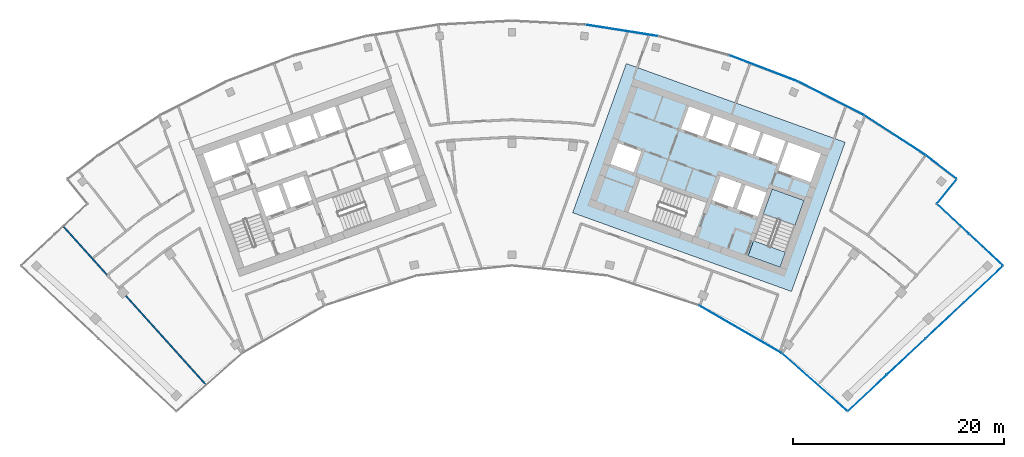
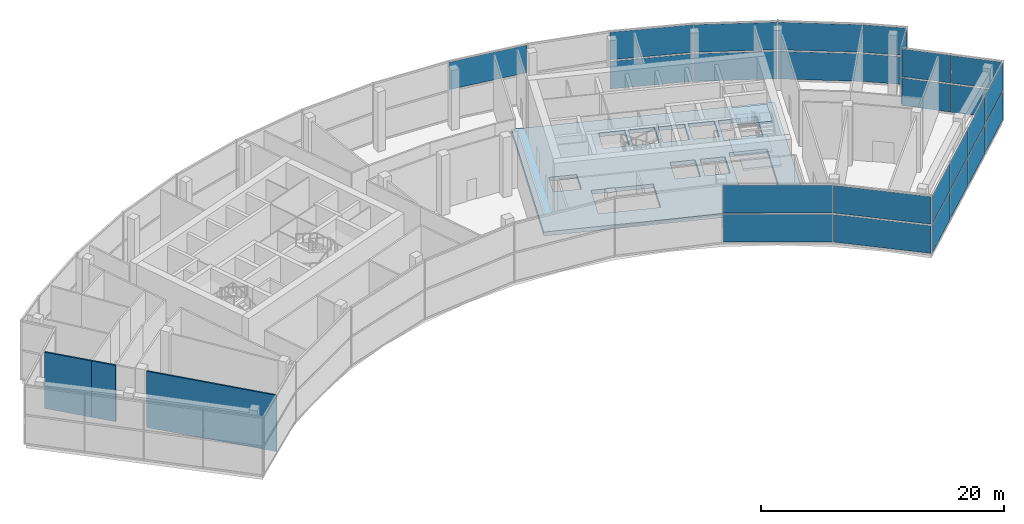
# One storey, part 10 of 18: 27 plates, 4 slabs, 3 walls, 6 elements without a shape of their own.
"""IFC4 building model written with IfcOpenShell, lengths in metres."""

from ifc_helpers import new_model, si_unit, direction, frame, frame_2d, origin, origin_2d, place, context, subcontext, project, spatial, polyline, rectangle, outline, extrude, material, layer, layer_set, type_object, element, aggregate, save


model = new_model("IFC4")

# Units and contexts
model_context = context("Model", 3, precision=1e-05, world=origin(), true_north=direction((0.0, 1.0)))
body_context = subcontext(model_context, "Body", "Model", "MODEL_VIEW")
ifc_project = project(units=[si_unit("LENGTHUNIT", "METRE"), si_unit("AREAUNIT", "SQUARE_METRE"), si_unit("VOLUMEUNIT", "CUBIC_METRE"), si_unit("PLANEANGLEUNIT", "RADIAN"), si_unit("MASSUNIT", "GRAM", prefix="KILO")], contexts=[model_context])

# Site, building, storey
site_placement = place(None, origin())
site = spatial("IfcSite", under=ifc_project, at=site_placement, CompositionType="ELEMENT")
building_placement = place(site_placement, origin())
building = spatial("IfcBuilding", under=site, at=building_placement, Name="Stone Belt Terrace Tower", CompositionType="ELEMENT")
storey_placement = place(building_placement, frame((0.0, 0.0, 307.39990234375)))
storey = spatial("IfcBuildingStorey", under=building, at=storey_placement, Name="L75", CompositionType="ELEMENT", Elevation=307.39990234375)

# Curtain wall, plates
ifc_material_1 = material(Name="Aluminium 6063-T6 anodised frame", Category="aluminium")
ifc_layer_1 = layer(ifc_material_1, 0.14990234375)
ifc_layer_set_1 = layer_set([ifc_layer_1], Name="CW-F observation floor curtain wall")
curtain_wall_type = type_object("IfcCurtainWallType", Name="CW-F observation floor curtain wall", PredefinedType="NOTDEFINED", material=ifc_layer_set_1)
curtain_wall_1_placement = place(storey_placement, origin())
curtain_wall_1 = element("IfcCurtainWall", 1, at=curtain_wall_1_placement, inside=storey, type_object=curtain_wall_type, Name="CW-F concave face L75", PredefinedType="NOTDEFINED")
ifc_material_2 = material(Name="Clear double glazed unit")
ifc_layer_2 = layer(ifc_material_2, 0.035888671875)
ifc_layer_set_2 = layer_set([ifc_layer_2], Name="CW-F glass panel 36")
plate_type = type_object("IfcPlateType", Name="CW-F glass panel 36", PredefinedType="CURTAIN_PANEL", material=ifc_layer_set_2)
plate_1_placement = place(storey_placement, frame((21.59375, 37.400634765625, 0.150146484375), z_axis=(0.0, 0.0, 1.0), x_axis=(0.866025403784, -0.5, 0.0)))
plate_1 = element("IfcPlate", 2, at=plate_1_placement, type_object=plate_type, Name="CW-F panel 7.1", PredefinedType="CURTAIN_PANEL", context=body_context, shape_type="SweptSolid", body=[
    extrude(rectangle(XDim=8.99365234375, YDim=0.035888671875, at=origin_2d()), origin(), (0.0, 0.0, 1.0), 2.77490234375),
])
plate_2_placement = place(storey_placement, frame((21.59375, 37.400634765625, 3.0751953125), z_axis=(0.0, 0.0, 1.0), x_axis=(0.866025403784, -0.5, 0.0)))
plate_2 = element("IfcPlate", 3, at=plate_2_placement, type_object=plate_type, Name="CW-F panel 7.2", PredefinedType="CURTAIN_PANEL", context=body_context, shape_type="SweptSolid", body=[
    extrude(rectangle(XDim=8.99365234375, YDim=0.035888671875, at=origin_2d()), origin(), (0.0, 0.0, 1.0), 2.77490234375),
])
plate_3_placement = place(storey_placement, frame((28.625732421875, 32.393310546875, 0.150146484375), z_axis=(0.0, 0.0, 1.0), x_axis=(0.749658646805, -0.661824684694, 0.0)))
plate_3 = element("IfcPlate", 4, at=plate_3_placement, type_object=plate_type, Name="CW-F panel 8.1", PredefinedType="CURTAIN_PANEL", context=body_context, shape_type="SweptSolid", body=[
    extrude(rectangle(XDim=8.188720703125, YDim=0.035888671875, at=origin_2d()), origin(), (0.0, 0.0, 1.0), 2.77490234375),
])
plate_4_placement = place(storey_placement, frame((28.625732421875, 32.393310546875, 3.0751953125), z_axis=(0.0, 0.0, 1.0), x_axis=(0.749658646805, -0.661824684694, 0.0)))
plate_4 = element("IfcPlate", 5, at=plate_4_placement, type_object=plate_type, Name="CW-F panel 8.2", PredefinedType="CURTAIN_PANEL", context=body_context, shape_type="SweptSolid", body=[
    extrude(rectangle(XDim=8.188720703125, YDim=0.035888671875, at=origin_2d()), origin(), (0.0, 0.0, 1.0), 2.77490234375),
])
aggregate(curtain_wall_1, [plate_1, plate_2, plate_3, plate_4])

curtain_wall_2_placement = place(storey_placement, origin())
curtain_wall_2 = element("IfcCurtainWall", 6, at=curtain_wall_2_placement, inside=storey, type_object=curtain_wall_type, Name="CW-F end face L75", PredefinedType="NOTDEFINED")
plate_5_placement = place(storey_placement, frame((33.616943359375, 31.37939453125, 0.150146484375), z_axis=(0.0, 0.0, 1.0), x_axis=(0.729904219708, 0.683549434973, 0.0)))
plate_5 = element("IfcPlate", 7, at=plate_5_placement, type_object=plate_type, Name="CW-F panel 1.1", PredefinedType="CURTAIN_PANEL", context=body_context, shape_type="SweptSolid", body=[
    extrude(rectangle(XDim=4.956787109375, YDim=0.035888671875, at=origin_2d()), origin(), (0.0, 0.0, 1.0), 2.77490234375),
])
plate_6_placement = place(storey_placement, frame((33.616943359375, 31.37939453125, 3.0751953125), z_axis=(0.0, 0.0, 1.0), x_axis=(0.729904219708, 0.683549434973, 0.0)))
plate_6 = element("IfcPlate", 8, at=plate_6_placement, type_object=plate_type, Name="CW-F panel 1.2", PredefinedType="CURTAIN_PANEL", context=body_context, shape_type="SweptSolid", body=[
    extrude(rectangle(XDim=4.956787109375, YDim=0.035888671875, at=origin_2d()), origin(), (0.0, 0.0, 1.0), 2.77490234375),
])
plate_7_placement = place(storey_placement, frame((37.2763671875, 34.806396484375, 0.150146484375), z_axis=(0.0, 0.0, 1.0), x_axis=(0.729904219708, 0.683549434973, 0.0)))
plate_7 = element("IfcPlate", 9, at=plate_7_placement, type_object=plate_type, Name="CW-F panel 2.1", PredefinedType="CURTAIN_PANEL", context=body_context, shape_type="SweptSolid", body=[
    extrude(rectangle(XDim=4.929931640625, YDim=0.035888671875, at=origin_2d()), origin(), (0.0, 0.0, 1.0), 2.77490234375),
])
plate_8_placement = place(storey_placement, frame((37.2763671875, 34.806396484375, 3.0751953125), z_axis=(0.0, 0.0, 1.0), x_axis=(0.729904219708, 0.683549434973, 0.0)))
plate_8 = element("IfcPlate", 10, at=plate_8_placement, type_object=plate_type, Name="CW-F panel 2.2", PredefinedType="CURTAIN_PANEL", context=body_context, shape_type="SweptSolid", body=[
    extrude(rectangle(XDim=4.929931640625, YDim=0.035888671875, at=origin_2d()), origin(), (0.0, 0.0, 1.0), 2.77490234375),
])
plate_9_placement = place(storey_placement, frame((40.92578125, 38.22412109375, 0.150146484375), z_axis=(0.0, 0.0, 1.0), x_axis=(0.729904219708, 0.683549434973, 0.0)))
plate_9 = element("IfcPlate", 11, at=plate_9_placement, type_object=plate_type, Name="CW-F panel 3.1", PredefinedType="CURTAIN_PANEL", context=body_context, shape_type="SweptSolid", body=[
    extrude(rectangle(XDim=4.929931640625, YDim=0.035888671875, at=origin_2d()), origin(), (0.0, 0.0, 1.0), 2.77490234375),
])
plate_10_placement = place(storey_placement, frame((40.92578125, 38.22412109375, 3.0751953125), z_axis=(0.0, 0.0, 1.0), x_axis=(0.729904219708, 0.683549434973, 0.0)))
plate_10 = element("IfcPlate", 12, at=plate_10_placement, type_object=plate_type, Name="CW-F panel 3.2", PredefinedType="CURTAIN_PANEL", context=body_context, shape_type="SweptSolid", body=[
    extrude(rectangle(XDim=4.929931640625, YDim=0.035888671875, at=origin_2d()), origin(), (0.0, 0.0, 1.0), 2.77490234375),
])
plate_11_placement = place(storey_placement, frame((44.5888671875, 41.654296875, 0.150146484375), z_axis=(0.0, 0.0, 1.0), x_axis=(0.729904219708, 0.683549434973, 0.0)))
plate_11 = element("IfcPlate", 13, at=plate_11_placement, type_object=plate_type, Name="CW-F panel 4.1", PredefinedType="CURTAIN_PANEL", context=body_context, shape_type="SweptSolid", body=[
    extrude(rectangle(XDim=4.966552734375, YDim=0.035888671875, at=origin_2d()), origin(), (0.0, 0.0, 1.0), 2.77490234375),
])
plate_12_placement = place(storey_placement, frame((44.5888671875, 41.654296875, 3.0751953125), z_axis=(0.0, 0.0, 1.0), x_axis=(0.729904219708, 0.683549434973, 0.0)))
plate_12 = element("IfcPlate", 14, at=plate_12_placement, type_object=plate_type, Name="CW-F panel 4.2", PredefinedType="CURTAIN_PANEL", context=body_context, shape_type="SweptSolid", body=[
    extrude(rectangle(XDim=4.966552734375, YDim=0.035888671875, at=origin_2d()), origin(), (0.0, 0.0, 1.0), 2.77490234375),
])
aggregate(curtain_wall_2, [plate_5, plate_6, plate_7, plate_8, plate_9, plate_10, plate_11, plate_12])

curtain_wall_3_placement = place(storey_placement, origin())
curtain_wall_3 = element("IfcCurtainWall", 15, at=curtain_wall_3_placement, inside=storey, type_object=curtain_wall_type, Name="CW-F notch face L75", PredefinedType="NOTDEFINED")
plate_13_placement = place(storey_placement, frame((44.84326171875, 44.911865234375, 0.150146484375), z_axis=(0.0, 0.0, 1.0), x_axis=(-0.731339333871, 0.682013767261, 0.0)))
plate_13 = element("IfcPlate", 16, at=plate_13_placement, type_object=plate_type, Name="CW-F panel 1.1", PredefinedType="CURTAIN_PANEL", context=body_context, shape_type="SweptSolid", body=[
    extrude(rectangle(XDim=4.26025390625, YDim=0.035888671875, at=origin_2d()), origin(), (0.0, 0.0, 1.0), 2.77490234375),
])
plate_14_placement = place(storey_placement, frame((44.84326171875, 44.911865234375, 3.0751953125), z_axis=(0.0, 0.0, 1.0), x_axis=(-0.731339333871, 0.682013767261, 0.0)))
plate_14 = element("IfcPlate", 17, at=plate_14_placement, type_object=plate_type, Name="CW-F panel 1.2", PredefinedType="CURTAIN_PANEL", context=body_context, shape_type="SweptSolid", body=[
    extrude(rectangle(XDim=4.26025390625, YDim=0.035888671875, at=origin_2d()), origin(), (0.0, 0.0, 1.0), 2.77490234375),
])
plate_15_placement = place(storey_placement, frame((41.730712890625, 47.814697265625, 0.150146484375), z_axis=(0.0, 0.0, 1.0), x_axis=(-0.731339333871, 0.682013767261, 0.0)))
plate_15 = element("IfcPlate", 18, at=plate_15_placement, type_object=plate_type, Name="CW-F panel 2.1", PredefinedType="CURTAIN_PANEL", context=body_context, shape_type="SweptSolid", body=[
    extrude(rectangle(XDim=4.11181640625, YDim=0.035888671875, at=origin_2d()), origin(), (0.0, 0.0, 1.0), 2.77490234375),
])
plate_16_placement = place(storey_placement, frame((41.730712890625, 47.814697265625, 3.0751953125), z_axis=(0.0, 0.0, 1.0), x_axis=(-0.731339333871, 0.682013767261, 0.0)))
plate_16 = element("IfcPlate", 19, at=plate_16_placement, type_object=plate_type, Name="CW-F panel 2.2", PredefinedType="CURTAIN_PANEL", context=body_context, shape_type="SweptSolid", body=[
    extrude(rectangle(XDim=4.11181640625, YDim=0.035888671875, at=origin_2d()), origin(), (0.0, 0.0, 1.0), 2.77490234375),
])
aggregate(curtain_wall_3, [plate_13, plate_14, plate_15, plate_16])

curtain_wall_4_placement = place(storey_placement, origin())
curtain_wall_4 = element("IfcCurtainWall", 20, at=curtain_wall_4_placement, inside=storey, type_object=curtain_wall_type, Name="CW-F notch face L75", PredefinedType="NOTDEFINED")
plate_17_placement = place(storey_placement, frame((41.119384765625, 50.43505859375, 0.150146484375), z_axis=(0.0, 0.0, 1.0), x_axis=(0.631001485542, 0.775781622136, 0.0)))
plate_17 = element("IfcPlate", 21, at=plate_17_placement, type_object=plate_type, Name="CW-F panel 1.1", PredefinedType="CURTAIN_PANEL", context=body_context, shape_type="SweptSolid", body=[
    extrude(rectangle(XDim=2.85205078125, YDim=0.035888671875, at=origin_2d()), origin(), (0.0, 0.0, 1.0), 2.77490234375),
])
plate_18_placement = place(storey_placement, frame((41.119384765625, 50.43505859375, 3.0751953125), z_axis=(0.0, 0.0, 1.0), x_axis=(0.631001485542, 0.775781622136, 0.0)))
plate_18 = element("IfcPlate", 22, at=plate_18_placement, type_object=plate_type, Name="CW-F panel 1.2", PredefinedType="CURTAIN_PANEL", context=body_context, shape_type="SweptSolid", body=[
    extrude(rectangle(XDim=2.85205078125, YDim=0.035888671875, at=origin_2d()), origin(), (0.0, 0.0, 1.0), 2.77490234375),
])
aggregate(curtain_wall_4, [plate_17, plate_18])

curtain_wall_5_placement = place(storey_placement, origin())
curtain_wall_5 = element("IfcCurtainWall", 23, at=curtain_wall_5_placement, inside=storey, type_object=curtain_wall_type, Name="CW-F convex face L75", PredefinedType="NOTDEFINED")
plate_19_placement = place(storey_placement, frame((40.583740234375, 52.74365234375, 0.150146484375), z_axis=(0.0, 0.0, 1.0), x_axis=(-0.792693871824, 0.60961990254, 0.0)))
plate_19 = element("IfcPlate", 24, at=plate_19_placement, type_object=plate_type, Name="CW-F panel 1.1", PredefinedType="CURTAIN_PANEL", context=body_context, shape_type="SweptSolid", body=[
    extrude(rectangle(XDim=3.58935546875, YDim=0.035888671875, at=origin_2d()), origin(), (0.0, 0.0, 1.0), 2.77490234375),
])
plate_20_placement = place(storey_placement, frame((40.583740234375, 52.74365234375, 3.0751953125), z_axis=(0.0, 0.0, 1.0), x_axis=(-0.792693871824, 0.60961990254, 0.0)))
plate_20 = element("IfcPlate", 25, at=plate_20_placement, type_object=plate_type, Name="CW-F panel 1.2", PredefinedType="CURTAIN_PANEL", context=body_context, shape_type="SweptSolid", body=[
    extrude(rectangle(XDim=3.58935546875, YDim=0.035888671875, at=origin_2d()), origin(), (0.0, 0.0, 1.0), 2.77490234375),
])
plate_21_placement = place(storey_placement, frame((36.209716796875, 55.758056640625, 0.150146484375), z_axis=(0.0, 0.0, 1.0), x_axis=(-0.838670567945, 0.544639035015, 0.0)))
plate_21 = element("IfcPlate", 26, at=plate_21_placement, type_object=plate_type, Name="CW-F panel 2.1", PredefinedType="CURTAIN_PANEL", context=body_context, shape_type="SweptSolid", body=[
    extrude(rectangle(XDim=6.890869140625, YDim=0.035888671875, at=origin_2d()), origin(), (0.0, 0.0, 1.0), 2.77490234375),
])
plate_22_placement = place(storey_placement, frame((36.209716796875, 55.758056640625, 3.0751953125), z_axis=(0.0, 0.0, 1.0), x_axis=(-0.838670567945, 0.544639035015, 0.0)))
plate_22 = element("IfcPlate", 27, at=plate_22_placement, type_object=plate_type, Name="CW-F panel 2.2", PredefinedType="CURTAIN_PANEL", context=body_context, shape_type="SweptSolid", body=[
    extrude(rectangle(XDim=6.890869140625, YDim=0.035888671875, at=origin_2d()), origin(), (0.0, 0.0, 1.0), 2.77490234375),
])
plate_23_placement = place(storey_placement, frame((30.18310546875, 59.237548828125, 0.150146484375), z_axis=(0.0, 0.0, 1.0), x_axis=(-0.891006524188, 0.45399049974, 0.0)))
plate_23 = element("IfcPlate", 28, at=plate_23_placement, type_object=plate_type, Name="CW-F panel 3.1", PredefinedType="CURTAIN_PANEL", context=body_context, shape_type="SweptSolid", body=[
    extrude(rectangle(XDim=6.890869140625, YDim=0.035888671875, at=origin_2d()), origin(), (0.0, 0.0, 1.0), 2.77490234375),
])
plate_24_placement = place(storey_placement, frame((30.18310546875, 59.237548828125, 3.0751953125), z_axis=(0.0, 0.0, 1.0), x_axis=(-0.891006524188, 0.45399049974, 0.0)))
plate_24 = element("IfcPlate", 29, at=plate_24_placement, type_object=plate_type, Name="CW-F panel 3.2", PredefinedType="CURTAIN_PANEL", context=body_context, shape_type="SweptSolid", body=[
    extrude(rectangle(XDim=6.890869140625, YDim=0.035888671875, at=origin_2d()), origin(), (0.0, 0.0, 1.0), 2.77490234375),
])
plate_25_placement = place(storey_placement, frame((23.82568359375, 62.068115234375, 0.150146484375), z_axis=(0.0, 0.0, 1.0), x_axis=(-0.933580426497, 0.358367949545, 0.0)))
plate_25 = element("IfcPlate", 30, at=plate_25_placement, type_object=plate_type, Name="CW-F panel 4.1", PredefinedType="CURTAIN_PANEL", context=body_context, shape_type="SweptSolid", body=[
    extrude(rectangle(XDim=6.890869140625, YDim=0.035888671875, at=origin_2d()), origin(), (0.0, 0.0, 1.0), 2.77490234375),
])
plate_26_placement = place(storey_placement, frame((23.82568359375, 62.068115234375, 3.0751953125), z_axis=(0.0, 0.0, 1.0), x_axis=(-0.933580426497, 0.358367949545, 0.0)))
plate_26 = element("IfcPlate", 31, at=plate_26_placement, type_object=plate_type, Name="CW-F panel 4.2", PredefinedType="CURTAIN_PANEL", context=body_context, shape_type="SweptSolid", body=[
    extrude(rectangle(XDim=6.890869140625, YDim=0.035888671875, at=origin_2d()), origin(), (0.0, 0.0, 1.0), 2.77490234375),
])
plate_27_placement = place(storey_placement, frame((10.400390625, 65.665283203125, 3.0751953125), z_axis=(0.0, 0.0, 1.0), x_axis=(-0.987688340595, 0.15643446504, 0.0)))
plate_27 = element("IfcPlate", 32, at=plate_27_placement, type_object=plate_type, Name="CW-F panel 6.2", PredefinedType="CURTAIN_PANEL", context=body_context, shape_type="SweptSolid", body=[
    extrude(rectangle(XDim=6.890869140625, YDim=0.035888671875, at=origin_2d()), origin(), (0.0, 0.0, 1.0), 2.77490234375),
])
aggregate(curtain_wall_5, [plate_19, plate_20, plate_21, plate_22, plate_23, plate_24, plate_25, plate_26, plate_27])

# Slab
ifc_material_3 = material(Name="Concrete B40", Category="concrete")
ifc_layer_3 = layer(ifc_material_3, 0.39990234375)
ifc_layer_set_3 = layer_set([ifc_layer_3], Name="Core floor slab 400")
slab_type_1 = type_object("IfcSlabType", Name="Core floor slab 400", PredefinedType="FLOOR", material=ifc_layer_set_3)
slab_1_placement = place(storey_placement, frame((0.0, 0.0, -0.39990234375)))
element("IfcSlab", 33, at=slab_1_placement, inside=storey, type_object=slab_type_1, Name="Core B floor L75", PredefinedType="FLOOR", context=body_context, shape_type="SweptSolid", body=[
    extrude(outline(polyline([(26.43505859375, 40.968994140625), (31.513916015625, 55.0830078125), (10.81396484375, 62.531982421875), (5.735107421875, 48.4189453125), (26.43505859375, 40.968994140625)]), holes=[polyline([(27.618896484375, 49.575927734375), (25.85888671875, 44.68408203125), (22.847900390625, 45.76806640625), (24.60791015625, 50.659912109375), (27.618896484375, 49.575927734375)]), polyline([(12.10595703125, 51.652099609375), (16.998046875, 49.89208984375), (15.846923828125, 46.69189453125), (10.955078125, 48.452880859375), (12.10595703125, 51.652099609375)]), polyline([(23.25, 48.06689453125), (21.27392578125, 48.778076171875), (22.0869140625, 51.035888671875), (24.06298828125, 50.324951171875), (23.25, 48.06689453125)]), polyline([(18.922119140625, 49.6240234375), (19.735107421875, 51.883056640625), (21.7109375, 51.1708984375), (20.89794921875, 48.9130859375), (18.922119140625, 49.6240234375)]), polyline([(29.2109375, 53.9990234375), (28.24609375, 51.31689453125), (25.18798828125, 52.41796875), (26.153076171875, 55.09912109375), (29.2109375, 53.9990234375)]), polyline([(11.51904296875, 52.235107421875), (9.30810546875, 53.031005859375), (10.01904296875, 55.007080078125), (12.22998046875, 54.2109375), (11.51904296875, 52.235107421875)]), polyline([(23.0390625, 53.8291015625), (23.801025390625, 55.946044921875), (25.87109375, 55.200927734375), (25.10888671875, 53.083984375), (23.0390625, 53.8291015625)]), polyline([(20.68603515625, 54.675048828125), (21.447998046875, 56.7919921875), (23.51806640625, 56.047119140625), (22.756103515625, 53.929931640625), (20.68603515625, 54.675048828125)]), polyline([(19.095947265625, 57.638916015625), (21.166015625, 56.89404296875), (20.404052734375, 54.777099609375), (18.333984375, 55.52197265625), (19.095947265625, 57.638916015625)]), polyline([(16.743896484375, 58.485107421875), (18.81396484375, 57.739990234375), (18.052001953125, 55.623046875), (15.98193359375, 56.367919921875), (16.743896484375, 58.485107421875)])]), origin(), (0.0, 0.0, 1.0), 0.39990234375),
])

# Stair, slabs
stair_type = type_object("IfcStairType", Name="Exit stair 1500", PredefinedType="HALF_TURN_STAIR", material=ifc_material_3)
stair_placement = place(storey_placement, origin())
stair = element("IfcStair", 34, at=stair_placement, inside=storey, type_object=stair_type, Name="L75 Exit stair 1 core B", PredefinedType="HALF_TURN_STAIR")
ifc_layer_4 = layer(ifc_material_3, 0.199951171875)
ifc_layer_set_4 = layer_set([ifc_layer_4], Name="Stair landing 200")
slab_type_2 = type_object("IfcSlabType", Name="Stair landing 200", PredefinedType="LANDING", material=ifc_layer_set_4)
slab_2_placement = place(storey_placement, frame((0.0, 0.0, 1.300048828125)))
slab_2 = element("IfcSlab", 35, at=slab_2_placement, type_object=slab_type_2, Name="ST1B landing 1", PredefinedType="LANDING", context=body_context, shape_type="SweptSolid", body=[
    extrude(outline(polyline([(26.779296875, 47.241943359375), (27.619384765625, 49.576171875), (24.6083984375, 50.659912109375), (23.7685546875, 48.32568359375), (26.779296875, 47.241943359375)])), origin(), (0.0, 0.0, 1.0), 0.199951171875),
])
slab_3_placement = place(storey_placement, frame((0.0, 0.0, 2.800048828125)))
slab_3 = element("IfcSlab", 36, at=slab_3_placement, type_object=slab_type_2, Name="ST1B landing 2", PredefinedType="LANDING", context=body_context, shape_type="SweptSolid", body=[
    extrude(outline(polyline([(25.3505859375, 43.27197265625), (25.85888671875, 44.684326171875), (22.847900390625, 45.767822265625), (22.339599609375, 44.355712890625), (25.3505859375, 43.27197265625)])), origin(), (0.0, 0.0, 1.0), 0.199951171875),
])
slab_4_placement = place(storey_placement, frame((0.0, 0.0, 4.300048828125)))
slab_4 = element("IfcSlab", 37, at=slab_4_placement, type_object=slab_type_2, Name="ST1B landing 3", PredefinedType="LANDING", context=body_context, shape_type="SweptSolid", body=[
    extrude(outline(polyline([(26.779296875, 47.241943359375), (27.619384765625, 49.576171875), (24.6083984375, 50.659912109375), (23.7685546875, 48.32568359375), (26.779296875, 47.241943359375)])), origin(), (0.0, 0.0, 1.0), 0.199951171875),
])
aggregate(stair, [slab_2, slab_3, slab_4])

# Walls
ifc_material_4 = material(Name="Gypsum board partition")
ifc_layer_5 = layer(ifc_material_4, 0.14990234375)
ifc_layer_set_5 = layer_set([ifc_layer_5], Name="PARTITION 150 EI 60")
wall_type = type_object("IfcWallType", Name="PARTITION 150 EI 60", PredefinedType="PARTITIONING", material=ifc_layer_set_5)
wall_1_placement = place(storey_placement, frame((-36.514892578125, 40.552978515625, 0.0), z_axis=(0.0, 0.0, 1.0), x_axis=(0.669127577115, -0.74314755301, 0.0)))
element("IfcWall", 38, at=wall_1_placement, inside=storey, type_object=wall_type, Name="L75/wall/i039", PredefinedType="PARTITIONING", context=body_context, shape_type="SweptSolid", body=[
    extrude(rectangle(XDim=11.263671875, YDim=0.14990234375, at=frame_2d((5.6318359375, 0.0))), origin(), (0.0, 0.0, 1.0), 5.650146484375),
])
wall_2_placement = place(storey_placement, frame((-39.697998046875, 44.089111328125, 0.0), z_axis=(0.0, 0.0, 1.0), x_axis=(0.668856019275, -0.743391972972, 0.0)))
element("IfcWall", 39, at=wall_2_placement, inside=storey, type_object=wall_type, Name="L75/wall/i040", PredefinedType="PARTITIONING", context=body_context, shape_type="SweptSolid", body=[
    extrude(rectangle(XDim=2.109375, YDim=0.14990234375, at=frame_2d((1.0546875, 0.0))), origin(), (0.0, 0.0, 1.0), 5.650146484375),
])
wall_3_placement = place(storey_placement, frame((-42.39892578125, 47.08837890625, 0.0), z_axis=(0.0, 0.0, 1.0), x_axis=(0.669038042055, -0.743228160314, 0.0)))
element("IfcWall", 40, at=wall_3_placement, inside=storey, type_object=wall_type, Name="L75/wall/i041", PredefinedType="PARTITIONING", context=body_context, shape_type="SweptSolid", body=[
    extrude(rectangle(XDim=4.047607421875, YDim=0.14990234375, at=frame_2d((2.02392578125, 0.0))), origin(), (0.0, 0.0, 1.0), 5.650146484375),
])

save(model, "model.ifc")
